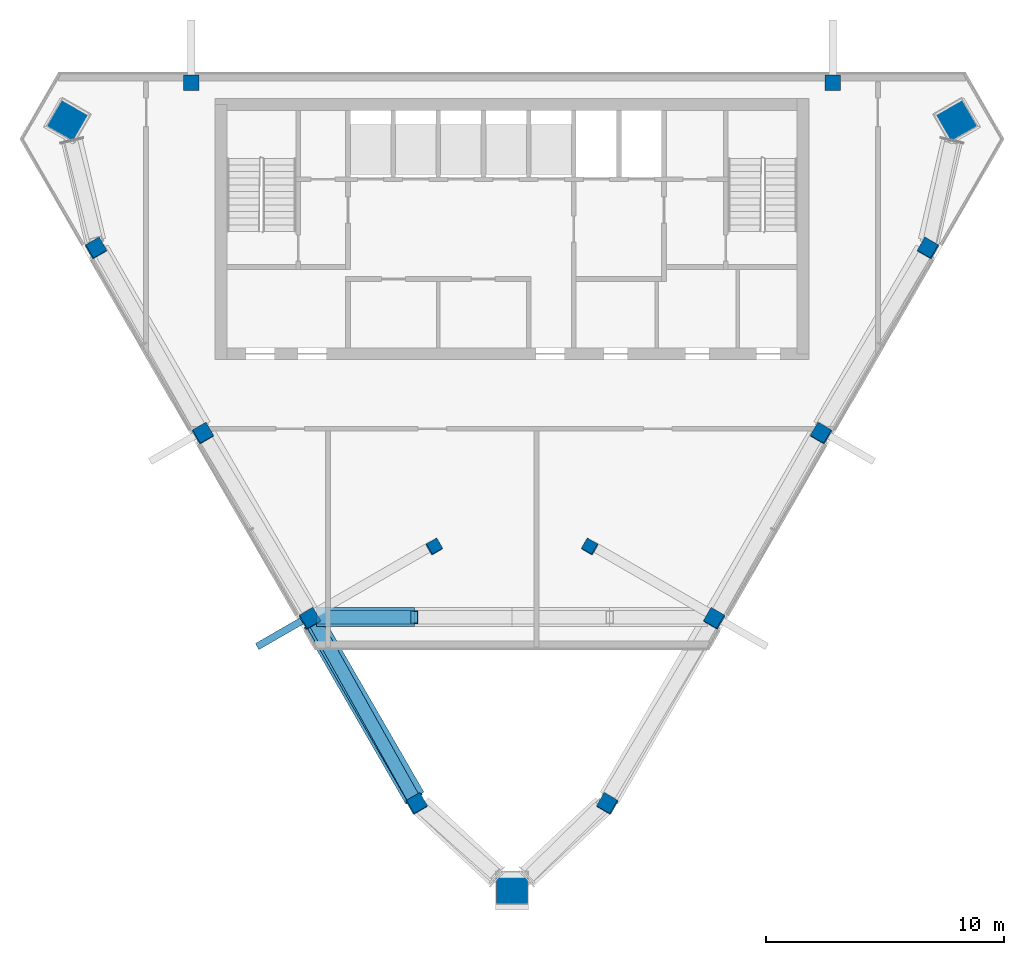
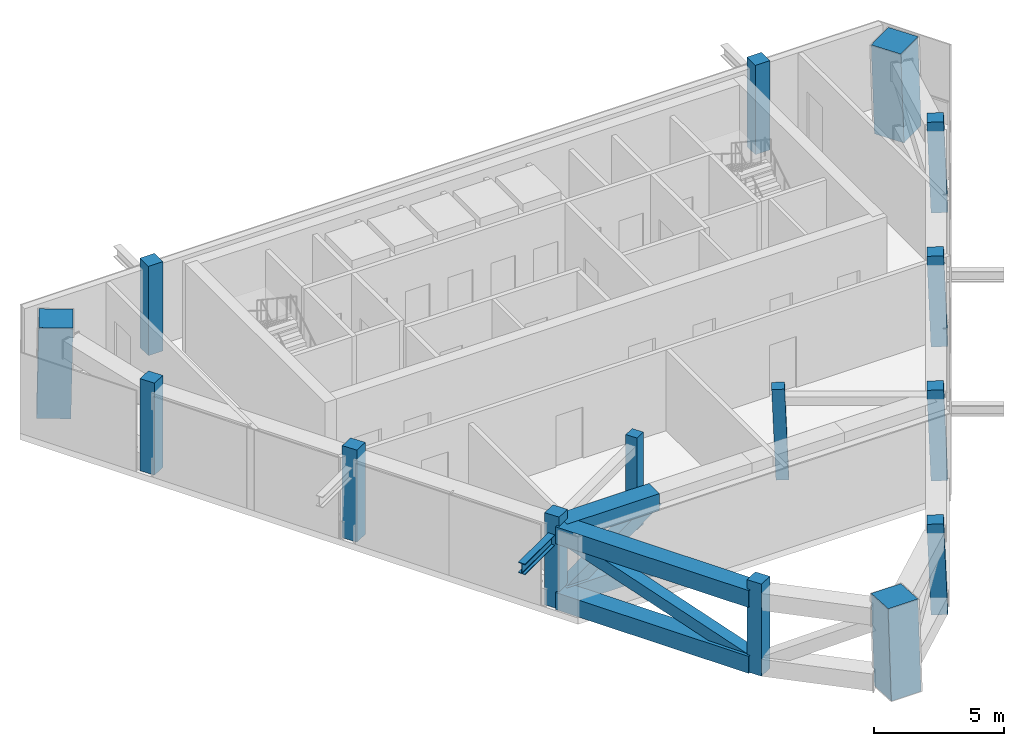
# One storey, part 1 of 9: 15 columns, 7 members.
"""IFC4 building model written with IfcOpenShell, lengths in metres."""

from ifc_helpers import new_model, si_unit, direction, frame, origin, origin_2d, place, context, subcontext, project, spatial, rectangle, hollow_rectangle, i_section, extrude, material, material_profile, profile_set, type_object, element, save


model = new_model("IFC4")

# Units and contexts
model_context = context("Model", 3, precision=1e-05, world=origin(), true_north=direction((0.0, 1.0)))
body_context = subcontext(model_context, "Body", "Model", "MODEL_VIEW")
ifc_project = project(units=[si_unit("LENGTHUNIT", "METRE"), si_unit("AREAUNIT", "SQUARE_METRE"), si_unit("VOLUMEUNIT", "CUBIC_METRE"), si_unit("PLANEANGLEUNIT", "RADIAN"), si_unit("MASSUNIT", "GRAM", prefix="KILO")], contexts=[model_context])

# Site, building, storey
site_placement = place(None, origin())
site = spatial("IfcSite", under=ifc_project, at=site_placement, CompositionType="ELEMENT")
building_placement = place(site_placement, origin())
building = spatial("IfcBuilding", under=site, at=building_placement, Name="Altiplano Prism Tower", CompositionType="ELEMENT")
storey_placement = place(building_placement, frame((0.0, 0.0, 343.0)))
storey = spatial("IfcBuildingStorey", under=building, at=storey_placement, Name="L89", CompositionType="ELEMENT", Elevation=343.0)

# Columns
ifc_material_1 = material(Name="Concrete C60/75", Category="concrete")
ifc_material_profile_1 = material_profile(ifc_material_1, rectangle(XDim=0.5, YDim=0.5, at=origin_2d()), Name="Inner column 500")
ifc_profile_set_1 = profile_set([ifc_material_profile_1], Name="Concrete C60/75")
column_type_1 = type_object("IfcColumnType", Name="Inner column 500", PredefinedType="COLUMN", material=ifc_profile_set_1)
for number, where, z_axis, x_axis, name in (
    (1, (81.713623046875, 85.013671875, -0.01513671875), (0.022183545815, 0.038443736465, 0.999014499105), (-0.865481577016, -0.499463827377, 0.038438587232), "Inner column I13 L89"),
    (2, (88.286376953125, 85.013671875, -0.01513671875), (-0.022183545815, 0.038443736465, 0.999014499105), (-0.500449328246, -0.865481348308, 0.022192466964), "Inner column I22 L89"),
):
    element("IfcColumn", number, at=place(storey_placement, frame(where, z_axis=z_axis, x_axis=x_axis)), inside=storey, type_object=column_type_1, Name=name, PredefinedType="COLUMN", context=body_context, shape_type="SweptSolid", body=[
        extrude(rectangle(XDim=0.5, YDim=0.5, at=origin_2d()), origin(), (0.0, 0.0, 1.0), 4.2041015625),
    ])
ifc_material_2 = material(Name="Concrete C70/85", Category="concrete")
ifc_material_profile_2 = material_profile(ifc_material_2, rectangle(XDim=1.320068359375, YDim=1.320068359375, at=origin_2d()), Name="Mega column infill 1400")
ifc_profile_set_2 = profile_set([ifc_material_profile_2], Name="Concrete C70/85")
column_type_2 = type_object("IfcColumnType", Name="Mega column infill 1400", PredefinedType="COLUMN", material=ifc_profile_set_2)
column_1_placement = place(storey_placement, frame((66.228271484375, 102.9453125, 0.0), z_axis=(0.028354513336, 0.00929656175, 0.99955469861), x_axis=(-0.866606398712, 0.498593533473, 0.019945879045)))
element("IfcColumn", 3, at=column_1_placement, inside=storey, type_object=column_type_2, Name="Mega column M0 L89", PredefinedType="COLUMN", context=body_context, shape_type="SweptSolid", body=[
    extrude(rectangle(XDim=1.320068359375, YDim=1.320068359375, at=origin_2d()), origin(), (0.0, 0.0, 1.0), 4.201904296875),
])
column_2_placement = place(storey_placement, frame((85.0, 70.431640625, 0.0), z_axis=(0.0, 0.058378439327, 0.998294524588), x_axis=(-1.0, 0.0, 0.0)))
element("IfcColumn", 4, at=column_2_placement, inside=storey, type_object=column_type_2, Name="Mega column M1 L89", PredefinedType="COLUMN", context=body_context, shape_type="SweptSolid", body=[
    extrude(rectangle(XDim=1.320068359375, YDim=1.320068359375, at=origin_2d()), origin(), (0.0, 0.0, 1.0), 4.20703125),
])
column_3_placement = place(storey_placement, frame((103.771728515625, 102.9453125, 0.0), z_axis=(-0.028354513336, 0.00929656175, 0.99955469861), x_axis=(0.498186080983, -0.866786053371, 0.022193836892)))
element("IfcColumn", 5, at=column_3_placement, inside=storey, type_object=column_type_2, Name="Mega column M2 L89", PredefinedType="COLUMN", context=body_context, shape_type="SweptSolid", body=[
    extrude(rectangle(XDim=1.320068359375, YDim=1.320068359375, at=origin_2d()), origin(), (0.0, 0.0, 1.0), 4.201904296875),
])
ifc_material_profile_3 = material_profile(ifc_material_1, rectangle(XDim=0.64990234375, YDim=0.64990234375, at=origin_2d()), Name="Perimeter column 650")
ifc_profile_set_3 = profile_set([ifc_material_profile_3], Name="Concrete C60/75")
column_type_3 = type_object("IfcColumnType", Name="Perimeter column 650", PredefinedType="COLUMN", material=ifc_profile_set_3)
for number, where, z_axis, x_axis, name in (
    (6, (98.5, 104.550048828125, 0.0), (0.0, 0.0, 1.0), (1.0, 0.0, 0.0), "Perimeter column P01 L89"),
    (7, (71.5, 104.550048828125, 0.0), (0.0, 0.0, 1.0), (1.0, 0.0, 0.0), "Perimeter column P04 L89"),
):
    element("IfcColumn", number, at=place(storey_placement, frame(where, z_axis=z_axis, x_axis=x_axis)), inside=storey, type_object=column_type_3, Name=name, PredefinedType="COLUMN", context=body_context, shape_type="SweptSolid", body=[
        extrude(rectangle(XDim=0.64990234375, YDim=0.64990234375, at=origin_2d()), origin(), (0.0, 0.0, 1.0), 4.199951171875),
    ])
for number, where, z_axis, x_axis, name in (
    (8, (67.474609375, 97.57763671875, 0.0), (0.022183545815, 0.038443736465, 0.999014499105), (-0.86548390038, -0.499459809309, 0.038438484201), "Perimeter column P11 L89"),
    (9, (71.974609375, 89.783447265625, 0.0), (0.022183545815, 0.038443736465, 0.999014499105), (-0.865482564011, -0.499462120455, 0.038438543463), "Perimeter column P12 L89"),
    (10, (76.474609375, 81.9892578125, 0.0), (0.022183545815, 0.038443736465, 0.999014499105), (-0.86548158575, -0.499463812272, 0.038438586844), "Perimeter column P13 L89"),
    (11, (80.974609375, 74.19482421875, 0.0), (0.022183545815, 0.038443736465, 0.999014499105), (-0.865480240636, -0.499466138517, 0.038438646493), "Perimeter column P14 L89"),
    (12, (89.025390625, 74.19482421875, 0.0), (-0.022183545815, 0.038443736465, 0.999014499105), (-0.500451639386, -0.865480014559, 0.02219236432), "Perimeter column P21 L89"),
    (13, (93.525390625, 81.9892578125, 0.0), (-0.022183545815, 0.038443736465, 0.999014499105), (-0.50044931314, -0.865481357025, 0.022192467635), "Perimeter column P22 L89"),
    (14, (98.025390625, 89.783447265625, 0.0), (-0.022183545815, 0.038443736465, 0.999014499105), (-0.500447621323, -0.86548233336, 0.022192542774), "Perimeter column P23 L89"),
    (15, (102.525390625, 97.57763671875, 0.0), (-0.022183545815, 0.038443736465, 0.999014499105), (-0.500445310177, -0.865483667097, 0.022192645418), "Perimeter column P24 L89"),
):
    element("IfcColumn", number, at=place(storey_placement, frame(where, z_axis=z_axis, x_axis=x_axis)), inside=storey, type_object=column_type_3, Name=name, PredefinedType="COLUMN", context=body_context, shape_type="SweptSolid", body=[
        extrude(rectangle(XDim=0.64990234375, YDim=0.64990234375, at=origin_2d()), origin(), (0.0, 0.0, 1.0), 4.2041015625),
    ])

# Members
ifc_material_3 = material(Name="Steel S355", Category="steel")
ifc_material_profile_4 = material_profile(ifc_material_3, i_section(OverallWidth=0.300048828125, OverallDepth=0.5, WebThickness=0.014404296875, FlangeThickness=0.028076171875, FilletRadius=0.027099609375, at=origin_2d()), Name="Brace bracket HEB 500")
ifc_profile_set_4 = profile_set([ifc_material_profile_4], Name="Steel S355")
member_type_1 = type_object("IfcMemberType", Name="Brace bracket HEB 500", PredefinedType="STRUT", material=ifc_profile_set_4)
member_1_placement = place(storey_placement, frame((76.56787109375, 82.15087890625, 3.1005859375), z_axis=(-0.865989200783, -0.500062700197, 0.0), x_axis=(0.500062700197, -0.865989200783, 0.0)))
element("IfcMember", 16, at=member_1_placement, inside=storey, type_object=member_type_1, Name="Brace bracket 1.347.2", PredefinedType="STRUT", context=body_context, shape_type="SweptSolid", body=[
    extrude(i_section(OverallWidth=0.300048828125, OverallDepth=0.5, WebThickness=0.014404296875, FlangeThickness=0.028076171875, FilletRadius=0.027099609375, at=origin_2d()), origin(), (0.0, 0.0, 1.0), 2.650146484375),
])
ifc_material_profile_5 = material_profile(ifc_material_3, hollow_rectangle(XDim=0.800048828125, YDim=0.800048828125, WallThickness=0.0400390625, at=origin_2d()), Name="Transfer chord Box 800x800x40")
ifc_profile_set_5 = profile_set([ifc_material_profile_5], Name="Steel S355")
member_type_2 = type_object("IfcMemberType", Name="Transfer chord Box 800x800x40", PredefinedType="CHORD", material=ifc_profile_set_5)
for number, where, z_axis, x_axis, name in (
    (17, (76.5859375, 81.826904296875, 0.39990234375), (0.500002926724, -0.866023714033, 0.0), (0.866023714033, 0.500002926724, 0.0), "Transfer truss edge 1 chord b4"),
    (18, (76.652587890625, 81.9423828125, 3.39990234375), (0.500002926724, -0.866023714033, 0.0), (0.866023714033, 0.500002926724, 0.0), "Transfer truss edge 1 chord t4"),
):
    element("IfcMember", number, at=place(storey_placement, frame(where, z_axis=z_axis, x_axis=x_axis)), inside=storey, type_object=member_type_2, Name=name, PredefinedType="CHORD", context=body_context, shape_type="SweptSolid", body=[
        extrude(hollow_rectangle(XDim=0.800048828125, YDim=0.800048828125, WallThickness=0.0400390625, at=origin_2d()), origin(), (0.0, 0.0, 1.0), 8.58984375),
    ])
for number, where, z_axis, x_axis, name in (
    (19, (76.77197265625, 82.062255859375, 0.39990234375), (1.0, 0.0, 0.0), (0.0, 1.0, 0.0), "Transfer truss chord b1"),
    (20, (76.77197265625, 82.062255859375, 3.39990234375), (1.0, 0.0, 0.0), (0.0, 1.0, 0.0), "Transfer truss chord t1"),
):
    element("IfcMember", number, at=place(storey_placement, frame(where, z_axis=z_axis, x_axis=x_axis)), inside=storey, type_object=member_type_2, Name=name, PredefinedType="CHORD", context=body_context, shape_type="SweptSolid", body=[
        extrude(hollow_rectangle(XDim=0.800048828125, YDim=0.800048828125, WallThickness=0.0400390625, at=origin_2d()), origin(), (0.0, 0.0, 1.0), 4.114013671875),
    ])
ifc_material_profile_6 = material_profile(ifc_material_3, hollow_rectangle(XDim=0.550048828125, YDim=0.550048828125, WallThickness=0.030029296875, at=origin_2d()), Name="Transfer diagonal Box 550x550x30")
ifc_profile_set_6 = profile_set([ifc_material_profile_6], Name="Steel S355")
member_type_3 = type_object("IfcMemberType", Name="Transfer diagonal Box 550x550x30", PredefinedType="BRACE", material=ifc_profile_set_6)
member_2_placement = place(storey_placement, frame((76.650146484375, 81.941162109375, 3.332275390625), z_axis=(0.464187255876, -0.828163824318, -0.31412556657), x_axis=(0.87231937019, 0.488936515707, 0.0)))
element("IfcMember", 21, at=member_2_placement, inside=storey, type_object=member_type_3, Name="Transfer truss edge 1 diagonal 4", PredefinedType="BRACE", context=body_context, shape_type="SweptSolid", body=[
    extrude(hollow_rectangle(XDim=0.550048828125, YDim=0.550048828125, WallThickness=0.030029296875, at=origin_2d()), origin(), (0.0, 0.0, 1.0), 9.118896484375),
])
member_3_placement = place(storey_placement, frame((76.77197265625, 82.062255859375, 0.39990234375), z_axis=(0.807988983368, 0.0, 0.589197592287), x_axis=(0.0, 1.0, 0.0)))
element("IfcMember", 22, at=member_3_placement, inside=storey, type_object=member_type_3, Name="Transfer truss diagonal 1", PredefinedType="BRACE", context=body_context, shape_type="SweptSolid", body=[
    extrude(hollow_rectangle(XDim=0.550048828125, YDim=0.550048828125, WallThickness=0.030029296875, at=origin_2d()), origin(), (0.0, 0.0, 1.0), 5.091552734375),
])

save(model, "model.ifc")
